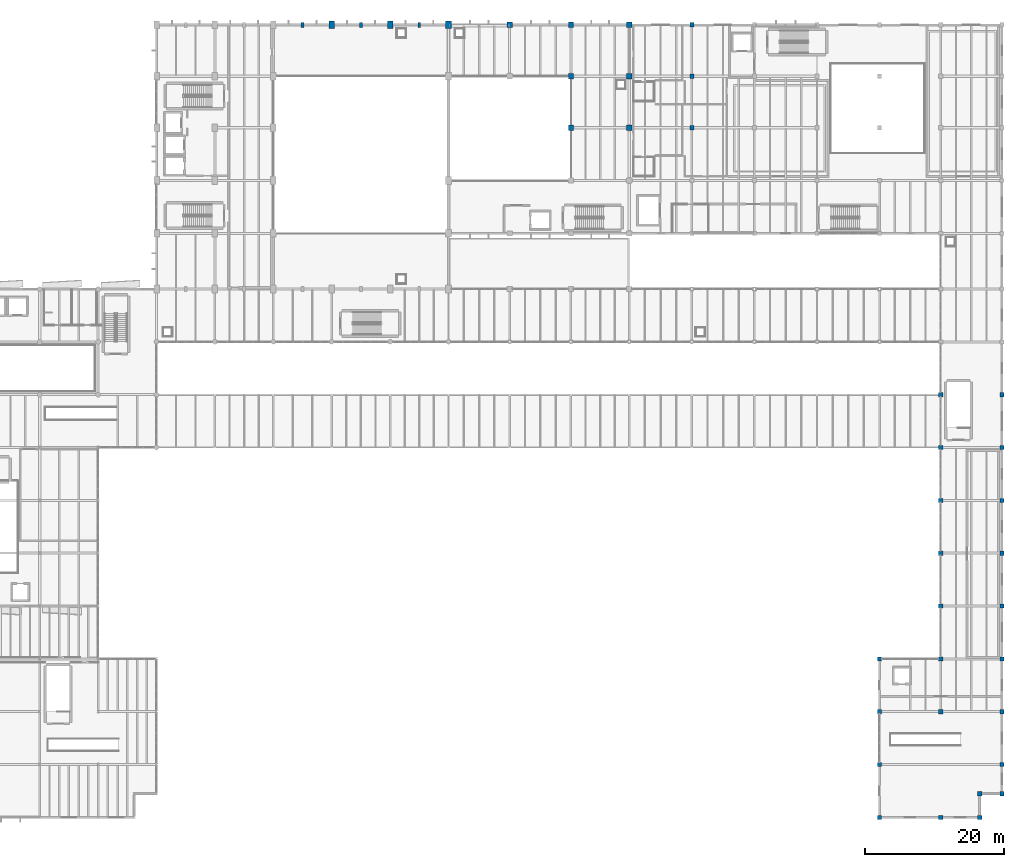
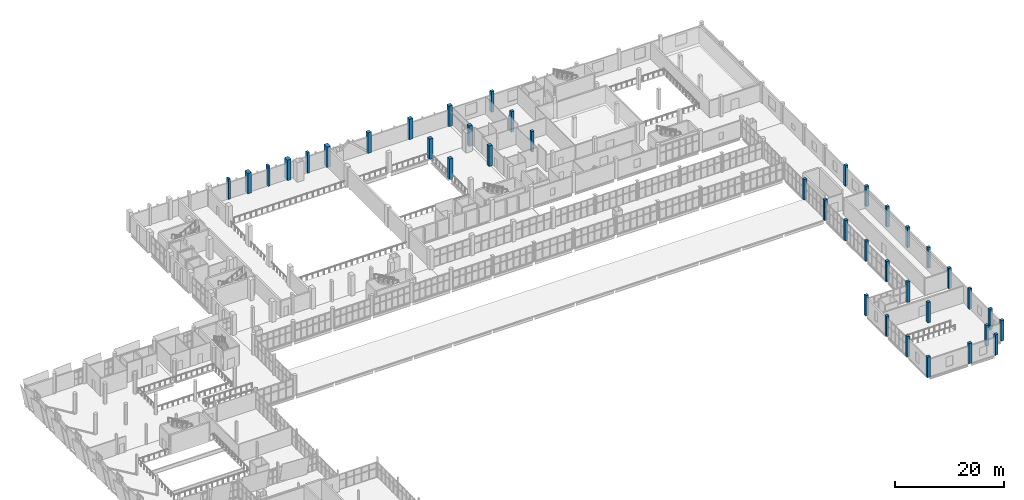
# One storey, part 6 of 136: 39 columns.
"""IFC4 building model written with IfcOpenShell, lengths in metres."""

from ifc_helpers import new_model, si_unit, direction, frame, origin, origin_2d, place, context, subcontext, project, spatial, rectangle, extrude, material, material_profile, profile_set, type_object, element, save


model = new_model("IFC4")

# Units and contexts
model_context = context("Model", 3, precision=1e-05, world=origin(), true_north=direction((0.0, 1.0)))
body_context = subcontext(model_context, "Body", "Model", "MODEL_VIEW")
ifc_project = project(units=[si_unit("LENGTHUNIT", "METRE"), si_unit("AREAUNIT", "SQUARE_METRE"), si_unit("VOLUMEUNIT", "CUBIC_METRE"), si_unit("PLANEANGLEUNIT", "RADIAN"), si_unit("MASSUNIT", "GRAM", prefix="KILO")], contexts=[model_context])

# Site, building, storey
site_placement = place(None, origin())
site = spatial("IfcSite", under=ifc_project, at=site_placement, CompositionType="ELEMENT")
building_placement = place(site_placement, origin())
building = spatial("IfcBuilding", under=site, at=building_placement, Name="Shengluoqiao Park Theatre", CompositionType="ELEMENT")
storey_placement = place(building_placement, frame((0.0, 0.0, 10.0)))
storey = spatial("IfcBuildingStorey", under=building, at=storey_placement, Name="L02", CompositionType="ELEMENT", Elevation=10.0)

# Columns
ifc_material_1 = material(Name="Concrete C50", Category="concrete")
ifc_material_profile_1 = material_profile(ifc_material_1, rectangle(XDim=0.39990234375, YDim=0.699951171875, at=origin_2d()), Name="RC PILASTER 400x700")
ifc_profile_set_1 = profile_set([ifc_material_profile_1], Name="Concrete C50")
column_type_1 = type_object("IfcColumnType", Name="STR-COL-C-PIL4070", PredefinedType="PILASTER", material=ifc_profile_set_1)
for number, where, z_axis, x_axis, name in (
    (1, (65.39990234375, 114.0, 0.0), (0.0, 0.0, 1.0), (1.0, 0.0, 0.0), "L02 Column 0349"),
    (2, (73.800048828125, 114.0, 0.0), (0.0, 0.0, 1.0), (1.0, 0.0, 0.0), "L02 Column 0381"),
    (3, (82.199951171875, 114.0, 0.0), (0.0, 0.0, 1.0), (1.0, 0.0, 0.0), "L02 Column 0413"),
):
    element("IfcColumn", number, at=place(storey_placement, frame(where, z_axis=z_axis, x_axis=x_axis)), inside=storey, type_object=column_type_1, Name=name, PredefinedType="PILASTER", context=body_context, shape_type="SweptSolid", body=[
        extrude(rectangle(XDim=0.39990234375, YDim=0.699951171875, at=origin_2d()), origin(), (0.0, 0.0, 1.0), 4.60009765625),
    ])
ifc_material_2 = material(Name="Concrete C40", Category="concrete")
ifc_material_profile_2 = material_profile(ifc_material_2, rectangle(XDim=0.60009765625, YDim=0.60009765625, at=origin_2d()), Name="RC 600x600")
ifc_profile_set_2 = profile_set([ifc_material_profile_2], Name="Concrete C40")
column_type_2 = type_object("IfcColumnType", Name="STR-COL-C-RC600", PredefinedType="COLUMN", material=ifc_profile_set_2)
for number, where, z_axis, x_axis, name in (
    (4, (121.39990234375, 99.199951171875, 0.0), (0.0, 0.0, 1.0), (1.0, 0.0, 0.0), "L02 Column 0610"),
    (5, (121.39990234375, 106.60009765625, 0.0), (0.0, 0.0, 1.0), (1.0, 0.0, 0.0), "L02 Column 0614"),
    (6, (121.39990234375, 114.0, 0.0), (0.0, 0.0, 1.0), (1.0, 0.0, 0.0), "L02 Column 0621"),
    (7, (148.39990234375, 0.0, 0.0), (0.0, 0.0, 1.0), (1.0, 0.0, 0.0), "L02 Column 0717"),
    (8, (148.39990234375, 7.60009765625, 0.0), (0.0, 0.0, 1.0), (1.0, 0.0, 0.0), "L02 Column 0720"),
    (9, (148.39990234375, 15.199951171875, 0.0), (0.0, 0.0, 1.0), (1.0, 0.0, 0.0), "L02 Column 0723"),
    (10, (148.39990234375, 22.800048828125, 0.0), (0.0, 0.0, 1.0), (1.0, 0.0, 0.0), "L02 Column 0726"),
    (11, (157.199951171875, 0.0, 0.0), (0.0, 0.0, 1.0), (1.0, 0.0, 0.0), "L02 Column 0774"),
    (12, (157.199951171875, 15.199951171875, 0.0), (0.0, 0.0, 1.0), (1.0, 0.0, 0.0), "L02 Column 0777"),
    (13, (157.199951171875, 22.800048828125, 0.0), (0.0, 0.0, 1.0), (1.0, 0.0, 0.0), "L02 Column 0780"),
    (14, (157.199951171875, 30.39990234375, 0.0), (0.0, 0.0, 1.0), (1.0, 0.0, 0.0), "L02 Column 0783"),
    (15, (157.199951171875, 38.0, 0.0), (0.0, 0.0, 1.0), (1.0, 0.0, 0.0), "L02 Column 0786"),
    (16, (157.199951171875, 45.60009765625, 0.0), (0.0, 0.0, 1.0), (1.0, 0.0, 0.0), "L02 Column 0789"),
    (17, (157.199951171875, 53.199951171875, 0.0), (0.0, 0.0, 1.0), (1.0, 0.0, 0.0), "L02 Column 0792"),
    (18, (157.199951171875, 60.800048828125, 0.0), (0.0, 0.0, 1.0), (1.0, 0.0, 0.0), "L02 Column 0795"),
    (19, (166.0, 7.60009765625, 0.0), (0.0, 0.0, 1.0), (1.0, 0.0, 0.0), "L02 Column 0837"),
    (20, (166.0, 15.199951171875, 0.0), (0.0, 0.0, 1.0), (1.0, 0.0, 0.0), "L02 Column 0840"),
    (21, (166.0, 22.800048828125, 0.0), (0.0, 0.0, 1.0), (1.0, 0.0, 0.0), "L02 Column 0843"),
    (22, (166.0, 30.39990234375, 0.0), (0.0, 0.0, 1.0), (1.0, 0.0, 0.0), "L02 Column 0846"),
    (23, (166.0, 38.0, 0.0), (0.0, 0.0, 1.0), (1.0, 0.0, 0.0), "L02 Column 0849"),
    (24, (166.0, 45.60009765625, 0.0), (0.0, 0.0, 1.0), (1.0, 0.0, 0.0), "L02 Column 0852"),
    (25, (166.0, 53.199951171875, 0.0), (0.0, 0.0, 1.0), (1.0, 0.0, 0.0), "L02 Column 0855"),
    (26, (166.0, 60.800048828125, 0.0), (0.0, 0.0, 1.0), (1.0, 0.0, 0.0), "L02 Column 0858"),
    (27, (162.800048828125, 0.0, 0.0), (0.0, 0.0, 1.0), (1.0, 0.0, 0.0), "L02 Corner Step Column 04"),
    (28, (162.800048828125, 3.39990234375, 0.0), (0.0, 0.0, 1.0), (1.0, 0.0, 0.0), "L02 Corner Step Column 05"),
    (29, (166.0, 3.39990234375, 0.0), (0.0, 0.0, 1.0), (1.0, 0.0, 0.0), "L02 Corner Step Column 06"),
):
    element("IfcColumn", number, at=place(storey_placement, frame(where, z_axis=z_axis, x_axis=x_axis)), inside=storey, type_object=column_type_2, Name=name, PredefinedType="COLUMN", context=body_context, shape_type="SweptSolid", body=[
        extrude(rectangle(XDim=0.60009765625, YDim=0.60009765625, at=origin_2d()), origin(), (0.0, 0.0, 1.0), 4.60009765625),
    ])
ifc_material_profile_3 = material_profile(ifc_material_1, rectangle(XDim=0.75, YDim=0.75, at=origin_2d()), Name="RC 750x750")
ifc_profile_set_3 = profile_set([ifc_material_profile_3], Name="Concrete C50")
column_type_3 = type_object("IfcColumnType", Name="STR-COL-C-RC750", PredefinedType="COLUMN", material=ifc_profile_set_3)
for number, where, z_axis, x_axis, name in (
    (30, (95.199951171875, 114.0, 0.0), (0.0, 0.0, 1.0), (1.0, 0.0, 0.0), "L02 Column 0487"),
    (31, (104.0, 99.199951171875, 0.0), (0.0, 0.0, 1.0), (1.0, 0.0, 0.0), "L02 Column 0519"),
    (32, (104.0, 106.60009765625, 0.0), (0.0, 0.0, 1.0), (1.0, 0.0, 0.0), "L02 Column 0526"),
    (33, (104.0, 114.0, 0.0), (0.0, 0.0, 1.0), (1.0, 0.0, 0.0), "L02 Column 0533"),
    (34, (112.39990234375, 99.199951171875, 0.0), (0.0, 0.0, 1.0), (1.0, 0.0, 0.0), "L02 Column 0565"),
    (35, (112.39990234375, 106.60009765625, 0.0), (0.0, 0.0, 1.0), (1.0, 0.0, 0.0), "L02 Column 0572"),
    (36, (112.39990234375, 114.0, 0.0), (0.0, 0.0, 1.0), (1.0, 0.0, 0.0), "L02 Column 0579"),
):
    element("IfcColumn", number, at=place(storey_placement, frame(where, z_axis=z_axis, x_axis=x_axis)), inside=storey, type_object=column_type_3, Name=name, PredefinedType="COLUMN", context=body_context, shape_type="SweptSolid", body=[
        extrude(rectangle(XDim=0.75, YDim=0.75, at=origin_2d()), origin(), (0.0, 0.0, 1.0), 4.60009765625),
    ])
ifc_material_profile_4 = material_profile(ifc_material_1, rectangle(XDim=0.800048828125, YDim=1.10009765625, at=origin_2d()), Name="RC 800x1100")
ifc_profile_set_4 = profile_set([ifc_material_profile_4], Name="Concrete C50")
column_type_4 = type_object("IfcColumnType", Name="STR-COL-C-RC8011", PredefinedType="COLUMN", material=ifc_profile_set_4)
for number, where, z_axis, x_axis, name in (
    (37, (69.60009765625, 114.0, 0.0), (0.0, 0.0, 1.0), (1.0, 0.0, 0.0), "L02 Column 0371"),
    (38, (78.0, 114.0, 0.0), (0.0, 0.0, 1.0), (1.0, 0.0, 0.0), "L02 Column 0403"),
    (39, (86.39990234375, 114.0, 0.0), (0.0, 0.0, 1.0), (1.0, 0.0, 0.0), "L02 Column 0453"),
):
    element("IfcColumn", number, at=place(storey_placement, frame(where, z_axis=z_axis, x_axis=x_axis)), inside=storey, type_object=column_type_4, Name=name, PredefinedType="COLUMN", context=body_context, shape_type="SweptSolid", body=[
        extrude(rectangle(XDim=0.800048828125, YDim=1.10009765625, at=origin_2d()), origin(), (0.0, 0.0, 1.0), 4.60009765625),
    ])

save(model, "model.ifc")
